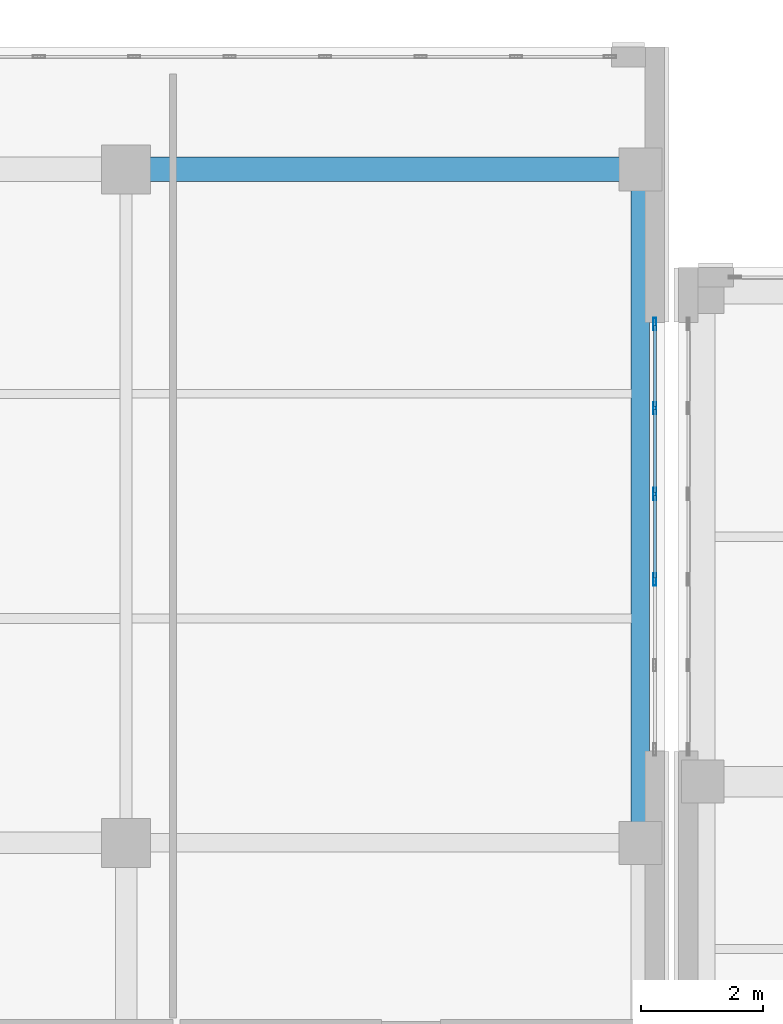
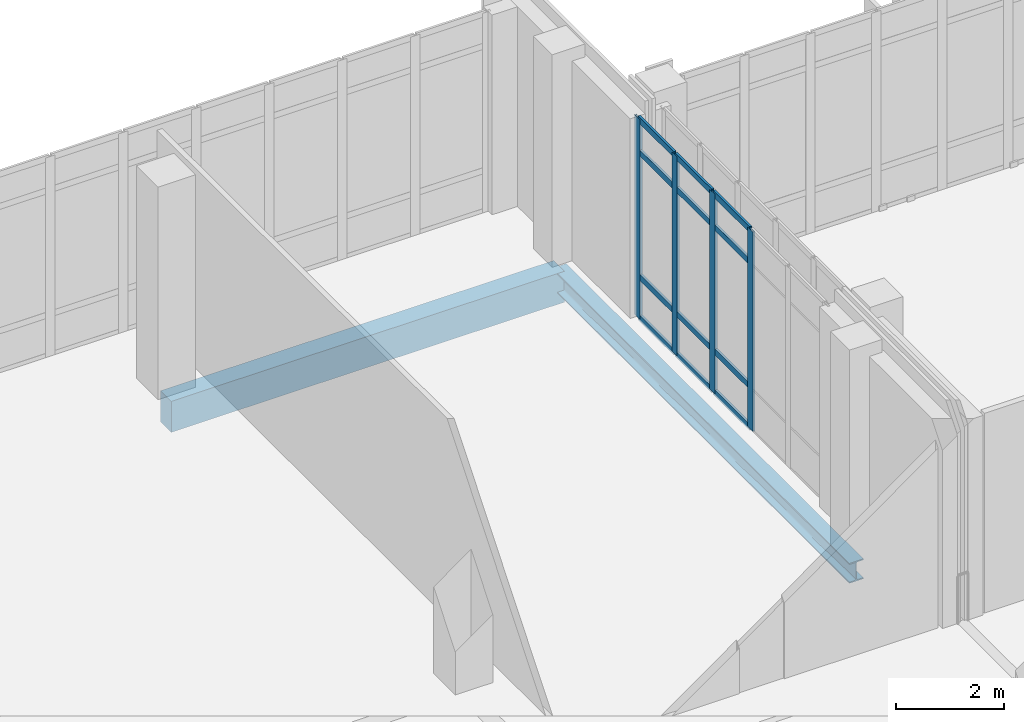
# One storey, part 8 of 189: 16 members, 2 beams, 1 element without a shape of its own.
"""IFC4 building model written with IfcOpenShell, lengths in metres."""

from ifc_helpers import new_model, si_unit, direction, frame, origin, origin_2d, place, context, subcontext, project, spatial, rectangle, hollow_rectangle, i_section, extrude, material, layer, layer_set, material_profile, profile_set, type_object, element, aggregate, save


model = new_model("IFC4")

# Units and contexts
model_context = context("Model", 3, precision=1e-05, world=origin(), true_north=direction((0.0, 1.0)))
body_context = subcontext(model_context, "Body", "Model", "MODEL_VIEW")
ifc_project = project(units=[si_unit("LENGTHUNIT", "METRE"), si_unit("AREAUNIT", "SQUARE_METRE"), si_unit("VOLUMEUNIT", "CUBIC_METRE"), si_unit("PLANEANGLEUNIT", "RADIAN"), si_unit("MASSUNIT", "GRAM", prefix="KILO")], contexts=[model_context])

# Site, building, storey
site_placement = place(None, origin())
site = spatial("IfcSite", under=ifc_project, at=site_placement, CompositionType="ELEMENT")
building_placement = place(site_placement, origin())
building = spatial("IfcBuilding", under=site, at=building_placement, Name="Qalavern Law Courts", CompositionType="ELEMENT")
storey_placement = place(building_placement, frame((0.0, 0.0, 5.39990234375)))
storey = spatial("IfcBuildingStorey", under=building, at=storey_placement, Name="L01", CompositionType="ELEMENT", Elevation=5.39990234375)

# Curtain wall, members
ifc_material_1 = material(Name="Anodised aluminium and insulated glazing", Category="aluminium")
ifc_layer = layer(ifc_material_1, 0.199951171875)
ifc_layer_set = layer_set([ifc_layer], Name="Anodised aluminium and insulated glazing")
curtain_wall_type = type_object("IfcCurtainWallType", Name="ENV-CW-FOYER", PredefinedType="USERDEFINED", material=ifc_layer_set)
curtain_wall_placement = place(storey_placement, origin())
curtain_wall = element("IfcCurtainWall", 1, at=curtain_wall_placement, inside=storey, type_object=curtain_wall_type, Name="V1 unitised curtain wall L01 east 1", ObjectType="UNITISED CURTAIN WALL", PredefinedType="USERDEFINED")
ifc_material_2 = material(Name="Anodised aluminium", Category="aluminium")
ifc_material_profile_1 = material_profile(ifc_material_2, hollow_rectangle(XDim=0.048095703125, YDim=0.199951171875, WallThickness=0.00439453125, at=origin_2d()), Name="ALU MULLION 48x200")
ifc_profile_set_1 = profile_set([ifc_material_profile_1], Name="Anodised aluminium")
member_type_1 = type_object("IfcMemberType", Name="ENV-CWM-48x200", PredefinedType="MULLION", material=ifc_profile_set_1)
member_1_placement = place(storey_placement, frame((33.83740234375, 25.300048828125, 0.0), z_axis=(0.0, 0.0, 1.0), x_axis=(-1.0, 0.0, 0.0)))
member_1 = element("IfcMember", 2, at=member_1_placement, type_object=member_type_1, Name="CW-01 mullion 3", PredefinedType="MULLION", context=body_context, shape_type="SweptSolid", body=[
    extrude(hollow_rectangle(XDim=0.048095703125, YDim=0.199951171875, WallThickness=0.00439453125, at=origin_2d()), origin(), (0.0, 0.0, 1.0), 4.510009765625),
])
member_2_placement = place(storey_placement, frame((33.83740234375, 26.699951171875, 0.0), z_axis=(0.0, 0.0, 1.0), x_axis=(-1.0, 0.0, 0.0)))
member_2 = element("IfcMember", 3, at=member_2_placement, type_object=member_type_1, Name="CW-01 mullion 4", PredefinedType="MULLION", context=body_context, shape_type="SweptSolid", body=[
    extrude(hollow_rectangle(XDim=0.048095703125, YDim=0.199951171875, WallThickness=0.00439453125, at=origin_2d()), origin(), (0.0, 0.0, 1.0), 4.510009765625),
])
member_3_placement = place(storey_placement, frame((33.83740234375, 28.10009765625, 0.0), z_axis=(0.0, 0.0, 1.0), x_axis=(-1.0, 0.0, 0.0)))
member_3 = element("IfcMember", 4, at=member_3_placement, type_object=member_type_1, Name="CW-01 mullion 5", PredefinedType="MULLION", context=body_context, shape_type="SweptSolid", body=[
    extrude(hollow_rectangle(XDim=0.048095703125, YDim=0.199951171875, WallThickness=0.00439453125, at=origin_2d()), origin(), (0.0, 0.0, 1.0), 4.510009765625),
])
member_4_placement = place(storey_placement, frame((33.83740234375, 29.47607421875, 0.0), z_axis=(0.0, 0.0, 1.0), x_axis=(-1.0, 0.0, 0.0)))
member_4 = element("IfcMember", 5, at=member_4_placement, type_object=member_type_1, Name="CW-01 mullion 6", PredefinedType="MULLION", context=body_context, shape_type="SweptSolid", body=[
    extrude(hollow_rectangle(XDim=0.048095703125, YDim=0.199951171875, WallThickness=0.00439453125, at=origin_2d()), origin(), (0.0, 0.0, 1.0), 4.510009765625),
])
ifc_material_profile_2 = material_profile(ifc_material_2, hollow_rectangle(XDim=0.048095703125, YDim=0.139892578125, WallThickness=0.00390625, at=origin_2d()), Name="ALU TRANSOM 48x140")
ifc_profile_set_2 = profile_set([ifc_material_profile_2], Name="Anodised aluminium")
member_type_2 = type_object("IfcMemberType", Name="ENV-CWT-48x140", PredefinedType="USERDEFINED", material=ifc_profile_set_2)
member_5_placement = place(storey_placement, frame((33.83740234375, 25.323974609375, 0.024169921875), z_axis=(0.0, 1.0, 0.0), x_axis=(-1.0, 0.0, 0.0)))
member_5 = element("IfcMember", 6, at=member_5_placement, type_object=member_type_2, Name="CW-01 transom 3.1", ObjectType="TRANSOM", PredefinedType="USERDEFINED", context=body_context, shape_type="SweptSolid", body=[
    extrude(hollow_rectangle(XDim=0.048095703125, YDim=0.139892578125, WallThickness=0.00390625, at=origin_2d()), origin(), (0.0, 0.0, 1.0), 1.35205078125),
])
member_6_placement = place(storey_placement, frame((33.83740234375, 25.323974609375, 0.9501953125), z_axis=(0.0, 1.0, 0.0), x_axis=(-1.0, 0.0, 0.0)))
member_6 = element("IfcMember", 7, at=member_6_placement, type_object=member_type_2, Name="CW-01 transom 3.2", ObjectType="TRANSOM", PredefinedType="USERDEFINED", context=body_context, shape_type="SweptSolid", body=[
    extrude(hollow_rectangle(XDim=0.048095703125, YDim=0.139892578125, WallThickness=0.00390625, at=origin_2d()), origin(), (0.0, 0.0, 1.0), 1.35205078125),
])
member_7_placement = place(storey_placement, frame((33.83740234375, 25.323974609375, 3.760009765625), z_axis=(0.0, 1.0, 0.0), x_axis=(-1.0, 0.0, 0.0)))
member_7 = element("IfcMember", 8, at=member_7_placement, type_object=member_type_2, Name="CW-01 transom 3.3", ObjectType="TRANSOM", PredefinedType="USERDEFINED", context=body_context, shape_type="SweptSolid", body=[
    extrude(hollow_rectangle(XDim=0.048095703125, YDim=0.139892578125, WallThickness=0.00390625, at=origin_2d()), origin(), (0.0, 0.0, 1.0), 1.35205078125),
])
member_8_placement = place(storey_placement, frame((33.83740234375, 25.323974609375, 4.486083984375), z_axis=(0.0, 1.0, 0.0), x_axis=(-1.0, 0.0, 0.0)))
member_8 = element("IfcMember", 9, at=member_8_placement, type_object=member_type_2, Name="CW-01 transom 3.4", ObjectType="TRANSOM", PredefinedType="USERDEFINED", context=body_context, shape_type="SweptSolid", body=[
    extrude(hollow_rectangle(XDim=0.048095703125, YDim=0.139892578125, WallThickness=0.00390625, at=origin_2d()), origin(), (0.0, 0.0, 1.0), 1.35205078125),
])
member_9_placement = place(storey_placement, frame((33.83740234375, 26.72412109375, 0.024169921875), z_axis=(0.0, 1.0, 0.0), x_axis=(-1.0, 0.0, 0.0)))
member_9 = element("IfcMember", 10, at=member_9_placement, type_object=member_type_2, Name="CW-01 transom 4.1", ObjectType="TRANSOM", PredefinedType="USERDEFINED", context=body_context, shape_type="SweptSolid", body=[
    extrude(hollow_rectangle(XDim=0.048095703125, YDim=0.139892578125, WallThickness=0.00390625, at=origin_2d()), origin(), (0.0, 0.0, 1.0), 1.351806640625),
])
member_10_placement = place(storey_placement, frame((33.83740234375, 26.72412109375, 0.9501953125), z_axis=(0.0, 1.0, 0.0), x_axis=(-1.0, 0.0, 0.0)))
member_10 = element("IfcMember", 11, at=member_10_placement, type_object=member_type_2, Name="CW-01 transom 4.2", ObjectType="TRANSOM", PredefinedType="USERDEFINED", context=body_context, shape_type="SweptSolid", body=[
    extrude(hollow_rectangle(XDim=0.048095703125, YDim=0.139892578125, WallThickness=0.00390625, at=origin_2d()), origin(), (0.0, 0.0, 1.0), 1.351806640625),
])
member_11_placement = place(storey_placement, frame((33.83740234375, 26.72412109375, 3.760009765625), z_axis=(0.0, 1.0, 0.0), x_axis=(-1.0, 0.0, 0.0)))
member_11 = element("IfcMember", 12, at=member_11_placement, type_object=member_type_2, Name="CW-01 transom 4.3", ObjectType="TRANSOM", PredefinedType="USERDEFINED", context=body_context, shape_type="SweptSolid", body=[
    extrude(hollow_rectangle(XDim=0.048095703125, YDim=0.139892578125, WallThickness=0.00390625, at=origin_2d()), origin(), (0.0, 0.0, 1.0), 1.351806640625),
])
member_12_placement = place(storey_placement, frame((33.83740234375, 26.72412109375, 4.486083984375), z_axis=(0.0, 1.0, 0.0), x_axis=(-1.0, 0.0, 0.0)))
member_12 = element("IfcMember", 13, at=member_12_placement, type_object=member_type_2, Name="CW-01 transom 4.4", ObjectType="TRANSOM", PredefinedType="USERDEFINED", context=body_context, shape_type="SweptSolid", body=[
    extrude(hollow_rectangle(XDim=0.048095703125, YDim=0.139892578125, WallThickness=0.00390625, at=origin_2d()), origin(), (0.0, 0.0, 1.0), 1.351806640625),
])
member_13_placement = place(storey_placement, frame((33.83740234375, 28.1240234375, 0.024169921875), z_axis=(0.0, 1.0, 0.0), x_axis=(-1.0, 0.0, 0.0)))
member_13 = element("IfcMember", 14, at=member_13_placement, type_object=member_type_2, Name="CW-01 transom 5.1", ObjectType="TRANSOM", PredefinedType="USERDEFINED", context=body_context, shape_type="SweptSolid", body=[
    extrude(hollow_rectangle(XDim=0.048095703125, YDim=0.139892578125, WallThickness=0.00390625, at=origin_2d()), origin(), (0.0, 0.0, 1.0), 1.327880859375),
])
member_14_placement = place(storey_placement, frame((33.83740234375, 28.1240234375, 0.9501953125), z_axis=(0.0, 1.0, 0.0), x_axis=(-1.0, 0.0, 0.0)))
member_14 = element("IfcMember", 15, at=member_14_placement, type_object=member_type_2, Name="CW-01 transom 5.2", ObjectType="TRANSOM", PredefinedType="USERDEFINED", context=body_context, shape_type="SweptSolid", body=[
    extrude(hollow_rectangle(XDim=0.048095703125, YDim=0.139892578125, WallThickness=0.00390625, at=origin_2d()), origin(), (0.0, 0.0, 1.0), 1.327880859375),
])
member_15_placement = place(storey_placement, frame((33.83740234375, 28.1240234375, 3.760009765625), z_axis=(0.0, 1.0, 0.0), x_axis=(-1.0, 0.0, 0.0)))
member_15 = element("IfcMember", 16, at=member_15_placement, type_object=member_type_2, Name="CW-01 transom 5.3", ObjectType="TRANSOM", PredefinedType="USERDEFINED", context=body_context, shape_type="SweptSolid", body=[
    extrude(hollow_rectangle(XDim=0.048095703125, YDim=0.139892578125, WallThickness=0.00390625, at=origin_2d()), origin(), (0.0, 0.0, 1.0), 1.327880859375),
])
member_16_placement = place(storey_placement, frame((33.83740234375, 28.1240234375, 4.486083984375), z_axis=(0.0, 1.0, 0.0), x_axis=(-1.0, 0.0, 0.0)))
member_16 = element("IfcMember", 17, at=member_16_placement, type_object=member_type_2, Name="CW-01 transom 5.4", ObjectType="TRANSOM", PredefinedType="USERDEFINED", context=body_context, shape_type="SweptSolid", body=[
    extrude(hollow_rectangle(XDim=0.048095703125, YDim=0.139892578125, WallThickness=0.00390625, at=origin_2d()), origin(), (0.0, 0.0, 1.0), 1.327880859375),
])
aggregate(curtain_wall, [member_1, member_2, member_3, member_4, member_5, member_6, member_7, member_8, member_9, member_10, member_11, member_12, member_13, member_14, member_15, member_16])

# Beams
ifc_material_3 = material(Name="Steel S355", Category="steel")
ifc_material_profile_3 = material_profile(ifc_material_3, i_section(OverallWidth=0.300048828125, OverallDepth=0.449951171875, WebThickness=0.013916015625, FlangeThickness=0.02587890625, FilletRadius=0.027099609375, at=origin_2d()), Name="HEB 450")
ifc_profile_set_3 = profile_set([ifc_material_profile_3], Name="Steel S355")
beam_type_1 = type_object("IfcBeamType", Name="STR-SP-HEB450", PredefinedType="SPANDREL", material=ifc_profile_set_3)
beam_1_placement = place(storey_placement, frame((33.60009765625, 21.0, -0.52490234375), z_axis=(0.0, 1.0, 0.0), x_axis=(-1.0, 0.0, 0.0)))
element("IfcBeam", 18, at=beam_1_placement, inside=storey, type_object=beam_type_1, Name="V1 Y-beam 3-2 L01", PredefinedType="SPANDREL", context=body_context, shape_type="SweptSolid", body=[
    extrude(i_section(OverallWidth=0.300048828125, OverallDepth=0.449951171875, WebThickness=0.013916015625, FlangeThickness=0.02587890625, FilletRadius=0.027099609375, at=origin_2d()), origin(), (0.0, 0.0, 1.0), 11.0),
])
ifc_material_4 = material(Name="Concrete C40/50", Category="concrete")
ifc_material_profile_4 = material_profile(ifc_material_4, rectangle(XDim=0.39990234375, YDim=0.699951171875, at=origin_2d()), Name="RC 400x700")
ifc_profile_set_4 = profile_set([ifc_material_profile_4], Name="Concrete C40/50")
beam_type_2 = type_object("IfcBeamType", Name="STR-SP-RC400x700", PredefinedType="SPANDREL", material=ifc_profile_set_4)
beam_2_placement = place(storey_placement, frame((25.199951171875, 32.0, -0.64990234375), z_axis=(1.0, 0.0, 0.0), x_axis=(0.0, 1.0, 0.0)))
element("IfcBeam", 19, at=beam_2_placement, inside=storey, type_object=beam_type_2, Name="V1 X-beam 3-2 L01", PredefinedType="SPANDREL", context=body_context, shape_type="SweptSolid", body=[
    extrude(rectangle(XDim=0.39990234375, YDim=0.699951171875, at=origin_2d()), origin(), (0.0, 0.0, 1.0), 8.400146484375),
])

save(model, "model.ifc")
